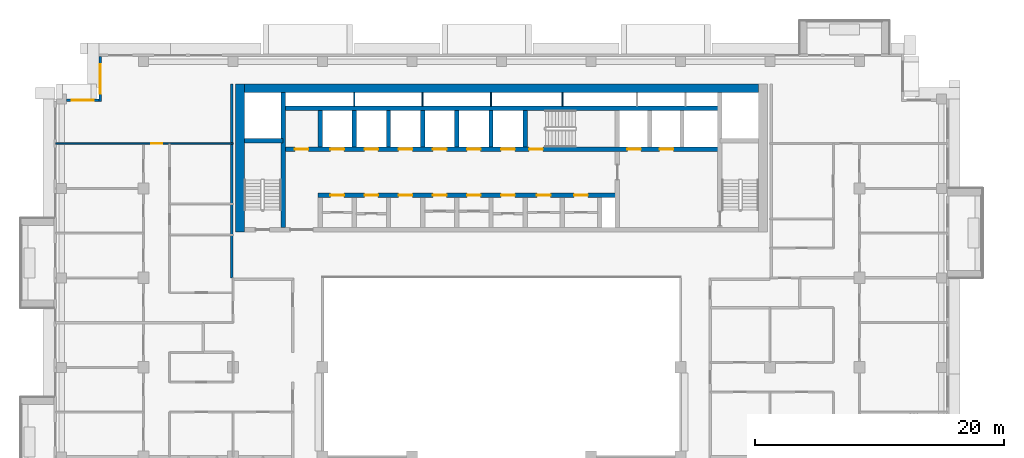
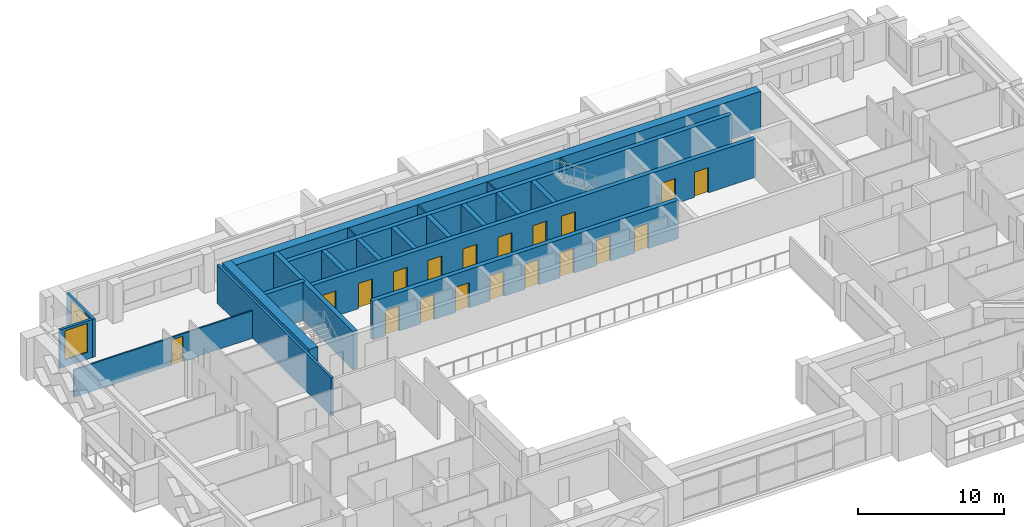
# One storey, part 10 of 20: 22 walls, 19 doors, 2 windows, 21 openings.
"""IFC4 building model written with IfcOpenShell, lengths in metres."""

from ifc_helpers import new_model, si_unit, direction, frame, frame_2d, origin, place, context, subcontext, project, spatial, rectangle, extrude, material, layer, layer_set, type_object, element, fill, save


model = new_model("IFC4")

# Units and contexts
model_context = context("Model", 3, precision=1e-05, world=origin(), true_north=direction((0.0, 1.0)))
body_context = subcontext(model_context, "Body", "Model", "MODEL_VIEW")
ifc_project = project(units=[si_unit("LENGTHUNIT", "METRE"), si_unit("AREAUNIT", "SQUARE_METRE"), si_unit("VOLUMEUNIT", "CUBIC_METRE"), si_unit("PLANEANGLEUNIT", "RADIAN"), si_unit("MASSUNIT", "GRAM", prefix="KILO")], contexts=[model_context])

# Site, building, storey
site_placement = place(None, origin())
site = spatial("IfcSite", under=ifc_project, at=site_placement, CompositionType="ELEMENT")
building_placement = place(site_placement, origin())
building = spatial("IfcBuilding", under=site, at=building_placement, Name="Saffron Iwan Residences", CompositionType="ELEMENT")
storey_placement = place(building_placement, frame((0.0, 0.0, 192.0)))
storey = spatial("IfcBuildingStorey", under=building, at=storey_placement, Name="L51", CompositionType="ELEMENT", Elevation=192.0)

# Wall, opening, window
ifc_material_1 = material(Name="Concrete C40/50", Category="concrete")
ifc_layer_1 = layer(ifc_material_1, 0.199951171875)
ifc_layer_set_1 = layer_set([ifc_layer_1], Name="Concrete C40/50")
wall_type_1 = type_object("IfcWallType", Name="EXTERNAL WALL 200", PredefinedType="SOLIDWALL", material=ifc_layer_set_1)
wall_1_placement = place(storey_placement, frame((18.10009765625, 80.199951171875, 0.0), z_axis=(0.0, 0.0, 1.0), x_axis=(0.0, -1.0, 0.0)))
wall_1 = element("IfcWall", 1, at=wall_1_placement, inside=storey, type_object=wall_type_1, Name="External wall L51 F6.0", PredefinedType="SOLIDWALL", context=body_context, shape_type="SweptSolid", body=[
    extrude(rectangle(XDim=3.599853515625, YDim=0.199951171875, at=frame_2d((1.7998046875, 0.0))), origin(), (0.0, 0.0, 1.0), 3.199951171875),
])
opening_1_placement = place(wall_1_placement, frame((0.60009765625, 0.0, 0.60009765625)))
opening_1 = element("IfcOpeningElement", 2, at=opening_1_placement, cuts=wall_1, Name="Opening W1", PredefinedType="OPENING", context=body_context, shape_type="SweptSolid", body=[
    extrude(rectangle(XDim=2.39990234375, YDim=2.39990234375, at=frame_2d((1.199951171875, 1.199951171875))), frame((0.0, 0.10986328125, 0.0), z_axis=(0.0, -1.0, 0.0), x_axis=(1.0, 0.0, 0.0)), (0.0, 0.0, 1.0), 0.219970703125),
])
ifc_material_2 = material(Name="Clear glass, laminated double glazed", Category="glass")
window_type_1 = type_object("IfcWindowType", Name="WINDOW 2400 x 2400", PartitioningType="DOUBLE_PANEL_VERTICAL", PredefinedType="WINDOW", material=ifc_material_2)
window_1_placement = place(opening_1_placement, origin())
window_1 = element("IfcWindow", 3, at=window_1_placement, inside=storey, type_object=window_type_1, Name="Window L51 F6.0", OverallHeight=2.39990234375, OverallWidth=2.39990234375, PartitioningType="DOUBLE_PANEL_VERTICAL", PredefinedType="WINDOW", context=body_context, shape_type="SweptSolid", body=[
    extrude(rectangle(XDim=2.39990234375, YDim=2.39990234375, at=frame_2d((1.199951171875, 1.199951171875))), frame((0.0, 0.030029296875, 0.0), z_axis=(0.0, -1.0, 0.0), x_axis=(1.0, 0.0, 0.0)), (0.0, 0.0, 1.0), 0.06005859375),
])
fill(opening_1, window_1)

wall_2_placement = place(storey_placement, frame((18.0, 76.699951171875, 0.0), z_axis=(0.0, 0.0, 1.0), x_axis=(-1.0, 0.0, 0.0)))
wall_2 = element("IfcWall", 4, at=wall_2_placement, inside=storey, type_object=wall_type_1, Name="External wall L51 F7.0", PredefinedType="SOLIDWALL", context=body_context, shape_type="SweptSolid", body=[
    extrude(rectangle(XDim=2.60009765625, YDim=0.199951171875, at=frame_2d((1.300048828125, 0.0))), origin(), (0.0, 0.0, 1.0), 3.199951171875),
])
opening_2_placement = place(wall_2_placement, frame((0.39990234375, 0.0, 0.60009765625)))
opening_2 = element("IfcOpeningElement", 5, at=opening_2_placement, cuts=wall_2, Name="Opening W8", PredefinedType="OPENING", context=body_context, shape_type="SweptSolid", body=[
    extrude(rectangle(XDim=1.800048828125, YDim=2.39990234375, at=frame_2d((0.89990234375, 1.199951171875))), frame((0.0, 0.10986328125, 0.0), z_axis=(0.0, -1.0, 0.0), x_axis=(1.0, 0.0, 0.0)), (0.0, 0.0, 1.0), 0.219970703125),
])
window_type_2 = type_object("IfcWindowType", Name="WINDOW 1800 x 2400", PartitioningType="DOUBLE_PANEL_VERTICAL", PredefinedType="WINDOW", material=ifc_material_2)
window_2_placement = place(opening_2_placement, origin())
window_2 = element("IfcWindow", 6, at=window_2_placement, inside=storey, type_object=window_type_2, Name="Window L51 F7.0", OverallHeight=2.39990234375, OverallWidth=1.800048828125, PartitioningType="DOUBLE_PANEL_VERTICAL", PredefinedType="WINDOW", context=body_context, shape_type="SweptSolid", body=[
    extrude(rectangle(XDim=1.800048828125, YDim=2.39990234375, at=frame_2d((0.89990234375, 1.199951171875))), frame((0.0, 0.030029296875, 0.0), z_axis=(0.0, -1.0, 0.0), x_axis=(1.0, 0.0, 0.0)), (0.0, 0.0, 1.0), 0.06005859375),
])
fill(opening_2, window_2)

# Wall, opening, door
ifc_material_3 = material(Name="Gypsum board partition")
ifc_layer_2 = layer(ifc_material_3, 0.1201171875)
ifc_layer_set_2 = layer_set([ifc_layer_2], Name="Gypsum board partition")
wall_type_2 = type_object("IfcWallType", Name="Flat partition 120", PredefinedType="PARTITIONING", material=ifc_layer_set_2)
wall_3_placement = place(storey_placement, frame((14.52490234375, 73.199951171875, 0.0), z_axis=(0.0, 0.0, 1.0), x_axis=(1.0, 0.0, 0.0)))
wall_3 = element("IfcWall", 7, at=wall_3_placement, inside=storey, type_object=wall_type_2, Name="W-L51-PART-h73.2-14.525", PredefinedType="PARTITIONING", context=body_context, shape_type="SweptSolid", body=[
    extrude(rectangle(XDim=14.275146484375, YDim=0.1201171875, at=frame_2d((7.1376953125, 0.0))), origin(), (0.0, 0.0, 1.0), 2.300048828125),
])
opening_3_placement = place(wall_3_placement, frame((7.675048828125, 0.0, 0.0)))
opening_3 = element("IfcOpeningElement", 8, at=opening_3_placement, cuts=wall_3, Name="Opening FD2", PredefinedType="OPENING", context=body_context, shape_type="SweptSolid", body=[
    extrude(rectangle(XDim=0.89990234375, YDim=2.10009765625, at=frame_2d((0.449951171875, 1.050048828125))), frame((0.0, 0.070068359375, 0.0), z_axis=(0.0, -1.0, 0.0), x_axis=(1.0, 0.0, 0.0)), (0.0, 0.0, 1.0), 0.14013671875),
])
ifc_material_4 = material(Name="Timber door", Category="wood")
door_type_1 = type_object("IfcDoorType", Name="Flat door 900", OperationType="NOTDEFINED", PredefinedType="DOOR", material=ifc_material_4)
door_1_placement = place(opening_3_placement, origin())
door_1 = element("IfcDoor", 9, at=door_1_placement, inside=storey, type_object=door_type_1, Name="Door L51-030", OperationType="SINGLE_SWING_LEFT", OverallHeight=2.10009765625, OverallWidth=0.89990234375, PredefinedType="DOOR", context=body_context, shape_type="SweptSolid", body=[
    extrude(rectangle(XDim=0.89990234375, YDim=2.10009765625, at=frame_2d((0.449951171875, 1.050048828125))), frame((0.0, 0.02490234375, 0.0), z_axis=(0.0, -1.0, 0.0), x_axis=(1.0, 0.0, 0.0)), (0.0, 0.0, 1.0), 0.050048828125),
])
fill(opening_3, door_1)

# Walls
ifc_material_5 = material(Name="Fire-rated gypsum board wall")
ifc_layer_3 = layer(ifc_material_5, 0.199951171875)
ifc_layer_set_3 = layer_set([ifc_layer_3], Name="Fire-rated gypsum board wall")
wall_type_3 = type_object("IfcWallType", Name="Gallery wall 200", PredefinedType="SOLIDWALL", material=ifc_layer_set_3)
wall_4_placement = place(storey_placement, frame((28.699951171875, 62.39990234375, 0.0), z_axis=(0.0, 0.0, 1.0), x_axis=(0.0, 1.0, 0.0)))
element("IfcWall", 10, at=wall_4_placement, inside=storey, type_object=wall_type_3, Name="W-L51-CORR-v28.8-62.4", PredefinedType="SOLIDWALL", context=body_context, shape_type="SweptSolid", body=[
    extrude(rectangle(XDim=15.60009765625, YDim=0.199951171875, at=frame_2d((7.800048828125, 0.0))), origin(), (0.0, 0.0, 1.0), 3.199951171875),
])
ifc_material_6 = material(Name="Fire-rated plasterboard partition")
ifc_layer_4 = layer(ifc_material_6, 0.10009765625)
ifc_layer_set_4 = layer_set([ifc_layer_4], Name="Fire-rated plasterboard partition")
wall_type_4 = type_object("IfcWallType", Name="Riser partition 100", PredefinedType="PARTITIONING", material=ifc_layer_set_4)
for number, where, z_axis, x_axis, name in (
    (11, (38.550048828125, 76.22509765625, 0.0), (0.0, 0.0, 1.0), (0.0, 1.0, 0.0), "Core partition P08"),
    (12, (44.050048828125, 76.22509765625, 0.0), (0.0, 0.0, 1.0), (0.0, 1.0, 0.0), "Core partition P09"),
    (13, (49.550048828125, 76.22509765625, 0.0), (0.0, 0.0, 1.0), (0.0, 1.0, 0.0), "Core partition P10"),
    (14, (55.300048828125, 76.22509765625, 0.0), (0.0, 0.0, 1.0), (0.0, 1.0, 0.0), "Core partition P11"),
):
    element("IfcWall", number, at=place(storey_placement, frame(where, z_axis=z_axis, x_axis=x_axis)), inside=storey, type_object=wall_type_4, Name=name, PredefinedType="PARTITIONING", context=body_context, shape_type="SweptSolid", body=[
        extrude(rectangle(XDim=1.074951171875, YDim=0.10009765625, at=frame_2d((0.53759765625, 0.0))), origin(), (0.0, 0.0, 1.0), 3.199951171875),
    ])

# Wall, openings, doors
ifc_material_7 = material(Name="Concrete C50/60", Category="concrete")
ifc_layer_5 = layer(ifc_material_7, 0.35009765625)
ifc_layer_set_5 = layer_set([ifc_layer_5], Name="Concrete C50/60")
wall_type_5 = type_object("IfcWallType", Name="WALL CORE 350 C50/60 3200 HIGH", PredefinedType="SHEAR", material=ifc_layer_set_5)
wall_5_placement = place(storey_placement, frame((35.625, 69.050048828125, 0.0), z_axis=(0.0, 0.0, 1.0), x_axis=(1.0, 0.0, 0.0)))
wall_5 = element("IfcWall", 15, at=wall_5_placement, inside=storey, type_object=wall_type_5, Name="Core wall", PredefinedType="SHEAR", context=body_context, shape_type="SweptSolid", body=[
    extrude(rectangle(XDim=24.10009765625, YDim=0.35009765625, at=frame_2d((12.050048828125, 0.0))), origin(), (0.0, 0.0, 1.0), 3.199951171875),
])
opening_4_placement = place(wall_5_placement, frame((1.0, 0.0, 0.0)))
opening_4 = element("IfcOpeningElement", 16, at=opening_4_placement, cuts=wall_5, Name="Opening SR", PredefinedType="OPENING", context=body_context, shape_type="SweptSolid", body=[
    extrude(rectangle(XDim=1.10009765625, YDim=2.10009765625, at=frame_2d((0.550048828125, 1.050048828125))), frame((0.0, 0.18505859375, 0.0), z_axis=(0.0, -1.0, 0.0), x_axis=(1.0, 0.0, 0.0)), (0.0, 0.0, 1.0), 0.3701171875),
])
opening_5_placement = place(wall_5_placement, frame((3.75, 0.0, 0.0)))
opening_5 = element("IfcOpeningElement", 17, at=opening_5_placement, cuts=wall_5, Name="Opening SR", PredefinedType="OPENING", context=body_context, shape_type="SweptSolid", body=[
    extrude(rectangle(XDim=1.10009765625, YDim=2.10009765625, at=frame_2d((0.550048828125, 1.050048828125))), frame((0.0, 0.18505859375, 0.0), z_axis=(0.0, -1.0, 0.0), x_axis=(1.0, 0.0, 0.0)), (0.0, 0.0, 1.0), 0.3701171875),
])
opening_6_placement = place(wall_5_placement, frame((6.5, 0.0, 0.0)))
opening_6 = element("IfcOpeningElement", 18, at=opening_6_placement, cuts=wall_5, Name="Opening SR", PredefinedType="OPENING", context=body_context, shape_type="SweptSolid", body=[
    extrude(rectangle(XDim=1.10009765625, YDim=2.10009765625, at=frame_2d((0.550048828125, 1.050048828125))), frame((0.0, 0.18505859375, 0.0), z_axis=(0.0, -1.0, 0.0), x_axis=(1.0, 0.0, 0.0)), (0.0, 0.0, 1.0), 0.3701171875),
])
opening_7_placement = place(wall_5_placement, frame((9.25, 0.0, 0.0)))
opening_7 = element("IfcOpeningElement", 19, at=opening_7_placement, cuts=wall_5, Name="Opening SR", PredefinedType="OPENING", context=body_context, shape_type="SweptSolid", body=[
    extrude(rectangle(XDim=1.10009765625, YDim=2.10009765625, at=frame_2d((0.550048828125, 1.050048828125))), frame((0.0, 0.18505859375, 0.0), z_axis=(0.0, -1.0, 0.0), x_axis=(1.0, 0.0, 0.0)), (0.0, 0.0, 1.0), 0.3701171875),
])
opening_8_placement = place(wall_5_placement, frame((12.0, 0.0, 0.0)))
opening_8 = element("IfcOpeningElement", 20, at=opening_8_placement, cuts=wall_5, Name="Opening SR", PredefinedType="OPENING", context=body_context, shape_type="SweptSolid", body=[
    extrude(rectangle(XDim=1.10009765625, YDim=2.10009765625, at=frame_2d((0.550048828125, 1.050048828125))), frame((0.0, 0.18505859375, 0.0), z_axis=(0.0, -1.0, 0.0), x_axis=(1.0, 0.0, 0.0)), (0.0, 0.0, 1.0), 0.3701171875),
])
opening_9_placement = place(wall_5_placement, frame((14.75, 0.0, 0.0)))
opening_9 = element("IfcOpeningElement", 21, at=opening_9_placement, cuts=wall_5, Name="Opening SR", PredefinedType="OPENING", context=body_context, shape_type="SweptSolid", body=[
    extrude(rectangle(XDim=1.10009765625, YDim=2.10009765625, at=frame_2d((0.550048828125, 1.050048828125))), frame((0.0, 0.18505859375, 0.0), z_axis=(0.0, -1.0, 0.0), x_axis=(1.0, 0.0, 0.0)), (0.0, 0.0, 1.0), 0.3701171875),
])
opening_10_placement = place(wall_5_placement, frame((17.625, 0.0, 0.0)))
opening_10 = element("IfcOpeningElement", 22, at=opening_10_placement, cuts=wall_5, Name="Opening SR", PredefinedType="OPENING", context=body_context, shape_type="SweptSolid", body=[
    extrude(rectangle(XDim=1.10009765625, YDim=2.10009765625, at=frame_2d((0.550048828125, 1.050048828125))), frame((0.0, 0.18505859375, 0.0), z_axis=(0.0, -1.0, 0.0), x_axis=(1.0, 0.0, 0.0)), (0.0, 0.0, 1.0), 0.3701171875),
])
opening_11_placement = place(wall_5_placement, frame((20.625, 0.0, 0.0)))
opening_11 = element("IfcOpeningElement", 23, at=opening_11_placement, cuts=wall_5, Name="Opening SR", PredefinedType="OPENING", context=body_context, shape_type="SweptSolid", body=[
    extrude(rectangle(XDim=1.10009765625, YDim=2.10009765625, at=frame_2d((0.550048828125, 1.050048828125))), frame((0.0, 0.18505859375, 0.0), z_axis=(0.0, -1.0, 0.0), x_axis=(1.0, 0.0, 0.0)), (0.0, 0.0, 1.0), 0.3701171875),
])
ifc_material_8 = material(Name="Steel fire door", Category="steel")
door_type_2 = type_object("IfcDoorType", Name="Service door 1100", OperationType="NOTDEFINED", PredefinedType="DOOR", material=ifc_material_8)
door_2_placement = place(opening_4_placement, origin())
door_2 = element("IfcDoor", 24, at=door_2_placement, inside=storey, type_object=door_type_2, Name="Door Trolley store", OperationType="SINGLE_SWING_RIGHT", OverallHeight=2.10009765625, OverallWidth=1.10009765625, PredefinedType="DOOR", context=body_context, shape_type="SweptSolid", body=[
    extrude(rectangle(XDim=1.10009765625, YDim=2.10009765625, at=frame_2d((0.550048828125, 1.050048828125))), frame((0.0, 0.02490234375, 0.0), z_axis=(0.0, -1.0, 0.0), x_axis=(1.0, 0.0, 0.0)), (0.0, 0.0, 1.0), 0.050048828125),
])
fill(opening_4, door_2)
door_3_placement = place(opening_5_placement, origin())
door_3 = element("IfcDoor", 25, at=door_3_placement, inside=storey, type_object=door_type_2, Name="Door Communications room", OperationType="SINGLE_SWING_LEFT", OverallHeight=2.10009765625, OverallWidth=1.10009765625, PredefinedType="DOOR", context=body_context, shape_type="SweptSolid", body=[
    extrude(rectangle(XDim=1.10009765625, YDim=2.10009765625, at=frame_2d((0.550048828125, 1.050048828125))), frame((0.0, 0.02490234375, 0.0), z_axis=(0.0, -1.0, 0.0), x_axis=(1.0, 0.0, 0.0)), (0.0, 0.0, 1.0), 0.050048828125),
])
fill(opening_5, door_3)
door_4_placement = place(opening_6_placement, origin())
door_4 = element("IfcDoor", 26, at=door_4_placement, inside=storey, type_object=door_type_2, Name="Door Switch room", OperationType="SINGLE_SWING_RIGHT", OverallHeight=2.10009765625, OverallWidth=1.10009765625, PredefinedType="DOOR", context=body_context, shape_type="SweptSolid", body=[
    extrude(rectangle(XDim=1.10009765625, YDim=2.10009765625, at=frame_2d((0.550048828125, 1.050048828125))), frame((0.0, 0.02490234375, 0.0), z_axis=(0.0, -1.0, 0.0), x_axis=(1.0, 0.0, 0.0)), (0.0, 0.0, 1.0), 0.050048828125),
])
fill(opening_6, door_4)
door_5_placement = place(opening_7_placement, origin())
door_5 = element("IfcDoor", 27, at=door_5_placement, inside=storey, type_object=door_type_2, Name="Door Furniture store", OperationType="SINGLE_SWING_LEFT", OverallHeight=2.10009765625, OverallWidth=1.10009765625, PredefinedType="DOOR", context=body_context, shape_type="SweptSolid", body=[
    extrude(rectangle(XDim=1.10009765625, YDim=2.10009765625, at=frame_2d((0.550048828125, 1.050048828125))), frame((0.0, 0.02490234375, 0.0), z_axis=(0.0, -1.0, 0.0), x_axis=(1.0, 0.0, 0.0)), (0.0, 0.0, 1.0), 0.050048828125),
])
fill(opening_7, door_5)
door_6_placement = place(opening_8_placement, origin())
door_6 = element("IfcDoor", 28, at=door_6_placement, inside=storey, type_object=door_type_2, Name="Door Housekeeping store", OperationType="SINGLE_SWING_RIGHT", OverallHeight=2.10009765625, OverallWidth=1.10009765625, PredefinedType="DOOR", context=body_context, shape_type="SweptSolid", body=[
    extrude(rectangle(XDim=1.10009765625, YDim=2.10009765625, at=frame_2d((0.550048828125, 1.050048828125))), frame((0.0, 0.02490234375, 0.0), z_axis=(0.0, -1.0, 0.0), x_axis=(1.0, 0.0, 0.0)), (0.0, 0.0, 1.0), 0.050048828125),
])
fill(opening_8, door_6)
door_7_placement = place(opening_9_placement, origin())
door_7 = element("IfcDoor", 29, at=door_7_placement, inside=storey, type_object=door_type_2, Name="Door Cleaner's store", OperationType="SINGLE_SWING_LEFT", OverallHeight=2.10009765625, OverallWidth=1.10009765625, PredefinedType="DOOR", context=body_context, shape_type="SweptSolid", body=[
    extrude(rectangle(XDim=1.10009765625, YDim=2.10009765625, at=frame_2d((0.550048828125, 1.050048828125))), frame((0.0, 0.02490234375, 0.0), z_axis=(0.0, -1.0, 0.0), x_axis=(1.0, 0.0, 0.0)), (0.0, 0.0, 1.0), 0.050048828125),
])
fill(opening_9, door_7)
door_8_placement = place(opening_10_placement, origin())
door_8 = element("IfcDoor", 30, at=door_8_placement, inside=storey, type_object=door_type_2, Name="Door Electrical room", OperationType="SINGLE_SWING_RIGHT", OverallHeight=2.10009765625, OverallWidth=1.10009765625, PredefinedType="DOOR", context=body_context, shape_type="SweptSolid", body=[
    extrude(rectangle(XDim=1.10009765625, YDim=2.10009765625, at=frame_2d((0.550048828125, 1.050048828125))), frame((0.0, 0.02490234375, 0.0), z_axis=(0.0, -1.0, 0.0), x_axis=(1.0, 0.0, 0.0)), (0.0, 0.0, 1.0), 0.050048828125),
])
fill(opening_10, door_8)
door_9_placement = place(opening_11_placement, origin())
door_9 = element("IfcDoor", 31, at=door_9_placement, inside=storey, type_object=door_type_2, Name="Door Luggage store", OperationType="SINGLE_SWING_RIGHT", OverallHeight=2.10009765625, OverallWidth=1.10009765625, PredefinedType="DOOR", context=body_context, shape_type="SweptSolid", body=[
    extrude(rectangle(XDim=1.10009765625, YDim=2.10009765625, at=frame_2d((0.550048828125, 1.050048828125))), frame((0.0, 0.02490234375, 0.0), z_axis=(0.0, -1.0, 0.0), x_axis=(1.0, 0.0, 0.0)), (0.0, 0.0, 1.0), 0.050048828125),
])
fill(opening_11, door_9)

wall_6_placement = place(storey_placement, frame((32.824951171875, 72.75, 0.0), z_axis=(0.0, 0.0, 1.0), x_axis=(1.0, 0.0, 0.0)))
wall_6 = element("IfcWall", 32, at=wall_6_placement, inside=storey, type_object=wall_type_5, Name="Core wall", PredefinedType="SHEAR", context=body_context, shape_type="SweptSolid", body=[
    extrude(rectangle(XDim=35.150146484375, YDim=0.35009765625, at=frame_2d((17.5751953125, 0.0))), origin(), (0.0, 0.0, 1.0), 3.199951171875),
])
opening_12_placement = place(wall_6_placement, frame((19.800048828125, 0.0, 0.0)))
opening_12 = element("IfcOpeningElement", 33, at=opening_12_placement, cuts=wall_6, Name="Opening SD", PredefinedType="OPENING", context=body_context, shape_type="SweptSolid", body=[
    extrude(rectangle(XDim=1.10009765625, YDim=2.10009765625, at=frame_2d((0.550048828125, 1.050048828125))), frame((0.0, 0.18505859375, 0.0), z_axis=(0.0, -1.0, 0.0), x_axis=(1.0, 0.0, 0.0)), (0.0, 0.0, 1.0), 0.3701171875),
])
opening_13_placement = place(wall_6_placement, frame((27.699951171875, 0.0, 0.0)))
opening_13 = element("IfcOpeningElement", 34, at=opening_13_placement, cuts=wall_6, Name="Opening LD", PredefinedType="OPENING", context=body_context, shape_type="SweptSolid", body=[
    extrude(rectangle(XDim=1.10009765625, YDim=2.10009765625, at=frame_2d((0.550048828125, 1.050048828125))), frame((0.0, 0.18505859375, 0.0), z_axis=(0.0, -1.0, 0.0), x_axis=(1.0, 0.0, 0.0)), (0.0, 0.0, 1.0), 0.3701171875),
])
opening_14_placement = place(wall_6_placement, frame((30.300048828125, 0.0, 0.0)))
opening_14 = element("IfcOpeningElement", 35, at=opening_14_placement, cuts=wall_6, Name="Opening LD", PredefinedType="OPENING", context=body_context, shape_type="SweptSolid", body=[
    extrude(rectangle(XDim=1.10009765625, YDim=2.10009765625, at=frame_2d((0.550048828125, 1.050048828125))), frame((0.0, 0.18505859375, 0.0), z_axis=(0.0, -1.0, 0.0), x_axis=(1.0, 0.0, 0.0)), (0.0, 0.0, 1.0), 0.3701171875),
])
opening_15_placement = place(wall_6_placement, frame((3.800048828125, 0.0, 0.0)))
opening_15 = element("IfcOpeningElement", 36, at=opening_15_placement, cuts=wall_6, Name="Opening LD", PredefinedType="OPENING", context=body_context, shape_type="SweptSolid", body=[
    extrude(rectangle(XDim=1.10009765625, YDim=2.10009765625, at=frame_2d((0.550048828125, 1.050048828125))), frame((0.0, 0.18505859375, 0.0), z_axis=(0.0, -1.0, 0.0), x_axis=(1.0, 0.0, 0.0)), (0.0, 0.0, 1.0), 0.3701171875),
])
opening_16_placement = place(wall_6_placement, frame((6.550048828125, 0.0, 0.0)))
opening_16 = element("IfcOpeningElement", 37, at=opening_16_placement, cuts=wall_6, Name="Opening LD", PredefinedType="OPENING", context=body_context, shape_type="SweptSolid", body=[
    extrude(rectangle(XDim=1.10009765625, YDim=2.10009765625, at=frame_2d((0.550048828125, 1.050048828125))), frame((0.0, 0.18505859375, 0.0), z_axis=(0.0, -1.0, 0.0), x_axis=(1.0, 0.0, 0.0)), (0.0, 0.0, 1.0), 0.3701171875),
])
opening_17_placement = place(wall_6_placement, frame((9.300048828125, 0.0, 0.0)))
opening_17 = element("IfcOpeningElement", 38, at=opening_17_placement, cuts=wall_6, Name="Opening LD", PredefinedType="OPENING", context=body_context, shape_type="SweptSolid", body=[
    extrude(rectangle(XDim=1.10009765625, YDim=2.10009765625, at=frame_2d((0.550048828125, 1.050048828125))), frame((0.0, 0.18505859375, 0.0), z_axis=(0.0, -1.0, 0.0), x_axis=(1.0, 0.0, 0.0)), (0.0, 0.0, 1.0), 0.3701171875),
])
opening_18_placement = place(wall_6_placement, frame((12.050048828125, 0.0, 0.0)))
opening_18 = element("IfcOpeningElement", 39, at=opening_18_placement, cuts=wall_6, Name="Opening LD", PredefinedType="OPENING", context=body_context, shape_type="SweptSolid", body=[
    extrude(rectangle(XDim=1.10009765625, YDim=2.10009765625, at=frame_2d((0.550048828125, 1.050048828125))), frame((0.0, 0.18505859375, 0.0), z_axis=(0.0, -1.0, 0.0), x_axis=(1.0, 0.0, 0.0)), (0.0, 0.0, 1.0), 0.3701171875),
])
opening_19_placement = place(wall_6_placement, frame((14.800048828125, 0.0, 0.0)))
opening_19 = element("IfcOpeningElement", 40, at=opening_19_placement, cuts=wall_6, Name="Opening LD", PredefinedType="OPENING", context=body_context, shape_type="SweptSolid", body=[
    extrude(rectangle(XDim=1.10009765625, YDim=2.10009765625, at=frame_2d((0.550048828125, 1.050048828125))), frame((0.0, 0.18505859375, 0.0), z_axis=(0.0, -1.0, 0.0), x_axis=(1.0, 0.0, 0.0)), (0.0, 0.0, 1.0), 0.3701171875),
])
opening_20_placement = place(wall_6_placement, frame((17.550048828125, 0.0, 0.0)))
opening_20 = element("IfcOpeningElement", 41, at=opening_20_placement, cuts=wall_6, Name="Opening LD", PredefinedType="OPENING", context=body_context, shape_type="SweptSolid", body=[
    extrude(rectangle(XDim=1.10009765625, YDim=2.10009765625, at=frame_2d((0.550048828125, 1.050048828125))), frame((0.0, 0.18505859375, 0.0), z_axis=(0.0, -1.0, 0.0), x_axis=(1.0, 0.0, 0.0)), (0.0, 0.0, 1.0), 0.3701171875),
])
opening_21_placement = place(wall_6_placement, frame((0.9375, 0.0, 0.0)))
opening_21 = element("IfcOpeningElement", 42, at=opening_21_placement, cuts=wall_6, Name="Opening SR", PredefinedType="OPENING", context=body_context, shape_type="SweptSolid", body=[
    extrude(rectangle(XDim=1.10009765625, YDim=2.10009765625, at=frame_2d((0.550048828125, 1.050048828125))), frame((0.0, 0.18505859375, 0.0), z_axis=(0.0, -1.0, 0.0), x_axis=(1.0, 0.0, 0.0)), (0.0, 0.0, 1.0), 0.3701171875),
])
door_type_3 = type_object("IfcDoorType", Name="Lift landing door 1100", OperationType="SLIDING_TO_LEFT", PredefinedType="DOOR", material=ifc_material_8)
door_10_placement = place(opening_13_placement, origin())
door_10 = element("IfcDoor", 43, at=door_10_placement, inside=storey, type_object=door_type_3, Name="Landing doors FF1", OperationType="SLIDING_TO_LEFT", OverallHeight=2.10009765625, OverallWidth=1.10009765625, PredefinedType="DOOR", context=body_context, shape_type="SweptSolid", body=[
    extrude(rectangle(XDim=1.10009765625, YDim=2.10009765625, at=frame_2d((0.550048828125, 1.050048828125))), frame((0.0, 0.02490234375, 0.0), z_axis=(0.0, -1.0, 0.0), x_axis=(1.0, 0.0, 0.0)), (0.0, 0.0, 1.0), 0.050048828125),
])
fill(opening_13, door_10)
door_11_placement = place(opening_14_placement, origin())
door_11 = element("IfcDoor", 44, at=door_11_placement, inside=storey, type_object=door_type_3, Name="Landing doors FF2", OperationType="SLIDING_TO_LEFT", OverallHeight=2.10009765625, OverallWidth=1.10009765625, PredefinedType="DOOR", context=body_context, shape_type="SweptSolid", body=[
    extrude(rectangle(XDim=1.10009765625, YDim=2.10009765625, at=frame_2d((0.550048828125, 1.050048828125))), frame((0.0, 0.02490234375, 0.0), z_axis=(0.0, -1.0, 0.0), x_axis=(1.0, 0.0, 0.0)), (0.0, 0.0, 1.0), 0.050048828125),
])
fill(opening_14, door_11)
door_12_placement = place(opening_15_placement, origin())
door_12 = element("IfcDoor", 45, at=door_12_placement, inside=storey, type_object=door_type_3, Name="Landing doors HR1", OperationType="SLIDING_TO_LEFT", OverallHeight=2.10009765625, OverallWidth=1.10009765625, PredefinedType="DOOR", context=body_context, shape_type="SweptSolid", body=[
    extrude(rectangle(XDim=1.10009765625, YDim=2.10009765625, at=frame_2d((0.550048828125, 1.050048828125))), frame((0.0, 0.02490234375, 0.0), z_axis=(0.0, -1.0, 0.0), x_axis=(1.0, 0.0, 0.0)), (0.0, 0.0, 1.0), 0.050048828125),
])
fill(opening_15, door_12)
door_13_placement = place(opening_16_placement, origin())
door_13 = element("IfcDoor", 46, at=door_13_placement, inside=storey, type_object=door_type_3, Name="Landing doors HR2", OperationType="SLIDING_TO_LEFT", OverallHeight=2.10009765625, OverallWidth=1.10009765625, PredefinedType="DOOR", context=body_context, shape_type="SweptSolid", body=[
    extrude(rectangle(XDim=1.10009765625, YDim=2.10009765625, at=frame_2d((0.550048828125, 1.050048828125))), frame((0.0, 0.02490234375, 0.0), z_axis=(0.0, -1.0, 0.0), x_axis=(1.0, 0.0, 0.0)), (0.0, 0.0, 1.0), 0.050048828125),
])
fill(opening_16, door_13)
door_14_placement = place(opening_17_placement, origin())
door_14 = element("IfcDoor", 47, at=door_14_placement, inside=storey, type_object=door_type_3, Name="Landing doors HR3", OperationType="SLIDING_TO_LEFT", OverallHeight=2.10009765625, OverallWidth=1.10009765625, PredefinedType="DOOR", context=body_context, shape_type="SweptSolid", body=[
    extrude(rectangle(XDim=1.10009765625, YDim=2.10009765625, at=frame_2d((0.550048828125, 1.050048828125))), frame((0.0, 0.02490234375, 0.0), z_axis=(0.0, -1.0, 0.0), x_axis=(1.0, 0.0, 0.0)), (0.0, 0.0, 1.0), 0.050048828125),
])
fill(opening_17, door_14)
door_15_placement = place(opening_18_placement, origin())
door_15 = element("IfcDoor", 48, at=door_15_placement, inside=storey, type_object=door_type_3, Name="Landing doors HR4", OperationType="SLIDING_TO_LEFT", OverallHeight=2.10009765625, OverallWidth=1.10009765625, PredefinedType="DOOR", context=body_context, shape_type="SweptSolid", body=[
    extrude(rectangle(XDim=1.10009765625, YDim=2.10009765625, at=frame_2d((0.550048828125, 1.050048828125))), frame((0.0, 0.02490234375, 0.0), z_axis=(0.0, -1.0, 0.0), x_axis=(1.0, 0.0, 0.0)), (0.0, 0.0, 1.0), 0.050048828125),
])
fill(opening_18, door_15)
door_16_placement = place(opening_19_placement, origin())
door_16 = element("IfcDoor", 49, at=door_16_placement, inside=storey, type_object=door_type_3, Name="Landing doors HR5", OperationType="SLIDING_TO_LEFT", OverallHeight=2.10009765625, OverallWidth=1.10009765625, PredefinedType="DOOR", context=body_context, shape_type="SweptSolid", body=[
    extrude(rectangle(XDim=1.10009765625, YDim=2.10009765625, at=frame_2d((0.550048828125, 1.050048828125))), frame((0.0, 0.02490234375, 0.0), z_axis=(0.0, -1.0, 0.0), x_axis=(1.0, 0.0, 0.0)), (0.0, 0.0, 1.0), 0.050048828125),
])
fill(opening_19, door_16)
door_17_placement = place(opening_20_placement, origin())
door_17 = element("IfcDoor", 50, at=door_17_placement, inside=storey, type_object=door_type_3, Name="Landing doors HR6", OperationType="SLIDING_TO_LEFT", OverallHeight=2.10009765625, OverallWidth=1.10009765625, PredefinedType="DOOR", context=body_context, shape_type="SweptSolid", body=[
    extrude(rectangle(XDim=1.10009765625, YDim=2.10009765625, at=frame_2d((0.550048828125, 1.050048828125))), frame((0.0, 0.02490234375, 0.0), z_axis=(0.0, -1.0, 0.0), x_axis=(1.0, 0.0, 0.0)), (0.0, 0.0, 1.0), 0.050048828125),
])
fill(opening_20, door_17)
door_18_placement = place(opening_21_placement, origin())
door_18 = element("IfcDoor", 51, at=door_18_placement, inside=storey, type_object=door_type_2, Name="Door Cleaner's store", OperationType="SINGLE_SWING_LEFT", OverallHeight=2.10009765625, OverallWidth=1.10009765625, PredefinedType="DOOR", context=body_context, shape_type="SweptSolid", body=[
    extrude(rectangle(XDim=1.10009765625, YDim=2.10009765625, at=frame_2d((0.550048828125, 1.050048828125))), frame((0.0, 0.02490234375, 0.0), z_axis=(0.0, -1.0, 0.0), x_axis=(1.0, 0.0, 0.0)), (0.0, 0.0, 1.0), 0.050048828125),
])
fill(opening_21, door_18)
door_type_4 = type_object("IfcDoorType", Name="Stair door 1100", OperationType="NOTDEFINED", PredefinedType="DOOR", material=ifc_material_8)
door_19_placement = place(opening_12_placement, origin())
door_19 = element("IfcDoor", 52, at=door_19_placement, inside=storey, type_object=door_type_4, Name="Stair door ST-C", OperationType="SINGLE_SWING_LEFT", OverallHeight=2.10009765625, OverallWidth=1.10009765625, PredefinedType="DOOR", context=body_context, shape_type="SweptSolid", body=[
    extrude(rectangle(XDim=1.10009765625, YDim=2.10009765625, at=frame_2d((0.550048828125, 1.050048828125))), frame((0.0, 0.02490234375, 0.0), z_axis=(0.0, -1.0, 0.0), x_axis=(1.0, 0.0, 0.0)), (0.0, 0.0, 1.0), 0.050048828125),
])
fill(opening_12, door_19)

# Walls
wall_7_placement = place(storey_placement, frame((32.824951171875, 76.050048828125, 0.0), z_axis=(0.0, 0.0, 1.0), x_axis=(1.0, 0.0, 0.0)))
element("IfcWall", 53, at=wall_7_placement, inside=storey, type_object=wall_type_5, Name="Core wall", PredefinedType="SHEAR", context=body_context, shape_type="SweptSolid", body=[
    extrude(rectangle(XDim=35.150146484375, YDim=0.35009765625, at=frame_2d((17.5751953125, 0.0))), origin(), (0.0, 0.0, 1.0), 3.199951171875),
])
wall_8_placement = place(storey_placement, frame((29.699951171875, 73.425048828125, 0.0), z_axis=(0.0, 0.0, 1.0), x_axis=(1.0, 0.0, 0.0)))
element("IfcWall", 54, at=wall_8_placement, inside=storey, type_object=wall_type_5, Name="Core wall", PredefinedType="SHEAR", context=body_context, shape_type="SweptSolid", body=[
    extrude(rectangle(XDim=3.125, YDim=0.35009765625, at=frame_2d((1.5625, 0.0))), origin(), (0.0, 0.0, 1.0), 3.199951171875),
])
wall_9_placement = place(storey_placement, frame((32.824951171875, 66.449951171875, 0.0), z_axis=(0.0, 0.0, 1.0), x_axis=(0.0, 1.0, 0.0)))
element("IfcWall", 55, at=wall_9_placement, inside=storey, type_object=wall_type_5, Name="Core wall", PredefinedType="SHEAR", context=body_context, shape_type="SweptSolid", body=[
    extrude(rectangle(XDim=10.85009765625, YDim=0.35009765625, at=frame_2d((5.425048828125, 0.0))), origin(), (0.0, 0.0, 1.0), 3.199951171875),
])
for number, where, z_axis, x_axis, name in (
    (56, (35.800048828125, 72.925048828125, 0.0), (0.0, 0.0, 1.0), (0.0, 1.0, 0.0), "Core wall"),
    (57, (38.550048828125, 72.925048828125, 0.0), (0.0, 0.0, 1.0), (0.0, 1.0, 0.0), "Core wall"),
    (58, (41.300048828125, 72.925048828125, 0.0), (0.0, 0.0, 1.0), (0.0, 1.0, 0.0), "Core wall"),
    (59, (44.050048828125, 72.925048828125, 0.0), (0.0, 0.0, 1.0), (0.0, 1.0, 0.0), "Core wall"),
    (60, (46.800048828125, 72.925048828125, 0.0), (0.0, 0.0, 1.0), (0.0, 1.0, 0.0), "Core wall"),
    (61, (49.550048828125, 72.925048828125, 0.0), (0.0, 0.0, 1.0), (0.0, 1.0, 0.0), "Core wall"),
    (62, (52.300048828125, 72.925048828125, 0.0), (0.0, 0.0, 1.0), (0.0, 1.0, 0.0), "Core wall"),
):
    element("IfcWall", number, at=place(storey_placement, frame(where, z_axis=z_axis, x_axis=x_axis)), inside=storey, type_object=wall_type_5, Name=name, PredefinedType="SHEAR", context=body_context, shape_type="SweptSolid", body=[
        extrude(rectangle(XDim=2.949951171875, YDim=0.35009765625, at=frame_2d((1.47509765625, 0.0))), origin(), (0.0, 0.0, 1.0), 3.199951171875),
    ])
ifc_layer_6 = layer(ifc_material_7, 0.699951171875)
ifc_layer_set_6 = layer_set([ifc_layer_6], Name="Concrete C50/60")
wall_type_6 = type_object("IfcWallType", Name="WALL CORE 700 C50/60 3200 HIGH", PredefinedType="SHEAR", material=ifc_layer_set_6)
wall_10_placement = place(storey_placement, frame((29.35009765625, 66.10009765625, 0.0), z_axis=(0.0, 0.0, 1.0), x_axis=(0.0, 1.0, 0.0)))
element("IfcWall", 63, at=wall_10_placement, inside=storey, type_object=wall_type_6, Name="Core wall", PredefinedType="SHEAR", context=body_context, shape_type="SweptSolid", body=[
    extrude(rectangle(XDim=11.89990234375, YDim=0.699951171875, at=frame_2d((5.949951171875, 0.0))), origin(), (0.0, 0.0, 1.0), 3.199951171875),
])
wall_11_placement = place(storey_placement, frame((29.699951171875, 77.64990234375, 0.0), z_axis=(0.0, 0.0, 1.0), x_axis=(1.0, 0.0, 0.0)))
element("IfcWall", 64, at=wall_11_placement, inside=storey, type_object=wall_type_6, Name="Core wall", PredefinedType="SHEAR", context=body_context, shape_type="SweptSolid", body=[
    extrude(rectangle(XDim=41.400146484375, YDim=0.699951171875, at=frame_2d((20.7001953125, 0.0))), origin(), (0.0, 0.0, 1.0), 3.199951171875),
])

save(model, "model.ifc")
